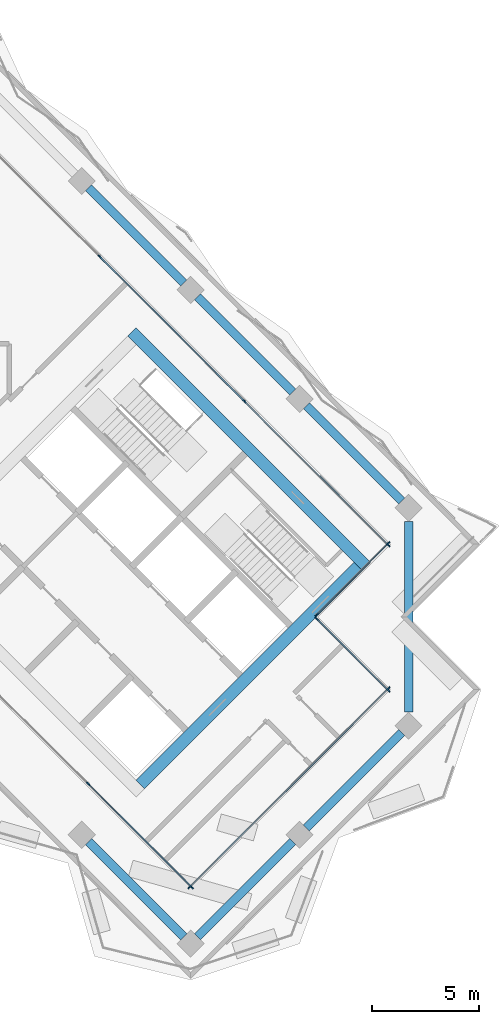
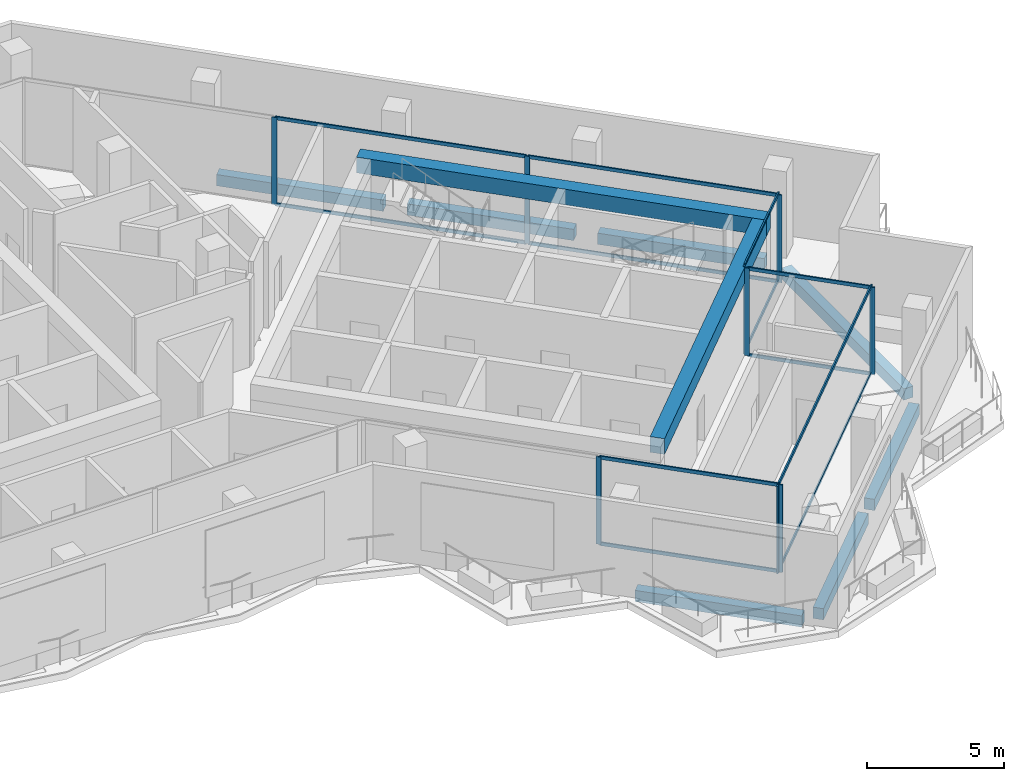
# One storey, part 7 of 19: 23 members, 9 beams, 5 elements without a shape of their own.
"""IFC4 building model written with IfcOpenShell, lengths in metres."""

from ifc_helpers import new_model, si_unit, direction, frame, origin, origin_2d, place, context, subcontext, project, spatial, rectangle, extrude, material, material_profile, profile_set, type_object, element, aggregate, save


model = new_model("IFC4")

# Units and contexts
model_context = context("Model", 3, precision=1e-05, world=origin(), true_north=direction((0.0, 1.0)))
body_context = subcontext(model_context, "Body", "Model", "MODEL_VIEW")
ifc_project = project(units=[si_unit("LENGTHUNIT", "METRE"), si_unit("AREAUNIT", "SQUARE_METRE"), si_unit("VOLUMEUNIT", "CUBIC_METRE"), si_unit("PLANEANGLEUNIT", "RADIAN"), si_unit("MASSUNIT", "GRAM", prefix="KILO")], contexts=[model_context])

# Site, building, storey
site_placement = place(None, origin())
site = spatial("IfcSite", under=ifc_project, at=site_placement, CompositionType="ELEMENT")
building_placement = place(site_placement, origin())
building = spatial("IfcBuilding", under=site, at=building_placement, Name="Windrow Commons", CompositionType="ELEMENT")
storey_placement = place(building_placement, frame((0.0, 0.0, 176.2)))
storey = spatial("IfcBuildingStorey", under=building, at=storey_placement, Name="L48", CompositionType="ELEMENT", Elevation=176.2)

# Curtain wall, members
ifc_material_1 = material(Name="Clear laminated glass in Aluminium 6063-T6 anodised frame", Category="aluminium")
curtain_wall_type = type_object("IfcCurtainWallType", Name="Curtain wall CW2H sky lounge upper", PredefinedType="USERDEFINED", material=ifc_material_1)
placement = place(storey_placement, origin())
curtain_wall_1 = element("IfcCurtainWall", 1, at=placement, inside=storey, type_object=curtain_wall_type, Name="Curtain wall CW2H L48 1", ObjectType="UNITISED", PredefinedType="USERDEFINED")
ifc_material_2 = material(Name="Aluminium 6063-T6", Category="aluminium")
ifc_material_profile_1 = material_profile(ifc_material_2, rectangle(XDim=0.06, YDim=0.2, at=origin_2d()))
ifc_profile_set_1 = profile_set([ifc_material_profile_1], Name="Aluminium 6063-T6")
member_type_1 = type_object("IfcMemberType", Name="CW2H mullion 60x200", PredefinedType="MULLION", material=ifc_profile_set_1)
member_1_placement = place(storey_placement, frame((98.6242, 43.1005, 0.0), z_axis=(0.0, 0.0, 1.0), x_axis=(-0.7071171977, -0.7070963646, 0.0)))
member_1 = element("IfcMember", 2, at=member_1_placement, type_object=member_type_1, Name="CW2H mullion 1", PredefinedType="MULLION", context=body_context, shape_type="SweptSolid", body=[
    extrude(rectangle(XDim=0.06, YDim=0.2, at=origin_2d()), origin(), (0.0, 0.0, 1.0), 3.9),
])
member_2_placement = place(storey_placement, frame((95.2725, 46.4523, 0.0), z_axis=(0.0, 0.0, 1.0), x_axis=(-0.7071171977, -0.7070963646, 0.0)))
member_2 = element("IfcMember", 3, at=member_2_placement, type_object=member_type_1, Name="CW2H mullion 2", PredefinedType="MULLION", context=body_context, shape_type="SweptSolid", body=[
    extrude(rectangle(XDim=0.06, YDim=0.2, at=origin_2d()), origin(), (0.0, 0.0, 1.0), 3.9),
])

curtain_wall_2 = element("IfcCurtainWall", 4, at=placement, inside=storey, type_object=curtain_wall_type, Name="Curtain wall CW2H L48 2", ObjectType="UNITISED", PredefinedType="USERDEFINED")
member_3_placement = place(storey_placement, frame((95.2725, 46.6361, 0.0), z_axis=(0.0, 0.0, 1.0), x_axis=(-0.7071067812, 0.7071067812, 0.0)))
member_3 = element("IfcMember", 5, at=member_3_placement, type_object=member_type_1, Name="CW2H mullion 1", PredefinedType="MULLION", context=body_context, shape_type="SweptSolid", body=[
    extrude(rectangle(XDim=0.06, YDim=0.2, at=origin_2d()), origin(), (0.0, 0.0, 1.0), 3.9),
])
member_4_placement = place(storey_placement, frame((98.6242, 49.9878, 0.0), z_axis=(0.0, 0.0, 1.0), x_axis=(-0.7071067812, 0.7071067812, 0.0)))
member_4 = element("IfcMember", 6, at=member_4_placement, type_object=member_type_1, Name="CW2H mullion 2", PredefinedType="MULLION", context=body_context, shape_type="SweptSolid", body=[
    extrude(rectangle(XDim=0.06, YDim=0.2, at=origin_2d()), origin(), (0.0, 0.0, 1.0), 3.9),
])

curtain_wall_3 = element("IfcCurtainWall", 7, at=placement, inside=storey, type_object=curtain_wall_type, Name="Curtain wall CW2H L48 3", ObjectType="UNITISED", PredefinedType="USERDEFINED")
member_5_placement = place(storey_placement, frame((98.6242, 49.8888, 0.0), z_axis=(0.0, 0.0, 1.0), x_axis=(-0.7071067812, -0.7071067812, 0.0)))
member_5 = element("IfcMember", 8, at=member_5_placement, type_object=member_type_1, Name="CW2H mullion 1", PredefinedType="MULLION", context=body_context, shape_type="SweptSolid", body=[
    extrude(rectangle(XDim=0.06, YDim=0.2, at=origin_2d()), origin(), (0.0, 0.0, 1.0), 3.9),
])
member_6_placement = place(storey_placement, frame((91.8915, 56.6215, 0.0), z_axis=(0.0, 0.0, 1.0), x_axis=(-0.7071067812, -0.7071067812, 0.0)))
member_6 = element("IfcMember", 9, at=member_6_placement, type_object=member_type_1, Name="CW2H mullion 2", PredefinedType="MULLION", context=body_context, shape_type="SweptSolid", body=[
    extrude(rectangle(XDim=0.06, YDim=0.2, at=origin_2d()), origin(), (0.0, 0.0, 1.0), 3.9),
])
member_7_placement = place(storey_placement, frame((85.1376, 63.3754, 0.0), z_axis=(0.0, 0.0, 1.0), x_axis=(-0.7071067812, -0.7071067812, 0.0)))
member_7 = element("IfcMember", 10, at=member_7_placement, type_object=member_type_1, Name="CW2H mullion 3", PredefinedType="MULLION", context=body_context, shape_type="SweptSolid", body=[
    extrude(rectangle(XDim=0.06, YDim=0.2, at=origin_2d()), origin(), (0.0, 0.0, 1.0), 3.9),
])

curtain_wall_4 = element("IfcCurtainWall", 11, at=placement, inside=storey, type_object=curtain_wall_type, Name="Curtain wall CW2H L48 13.2", ObjectType="UNITISED", PredefinedType="USERDEFINED")
member_8_placement = place(storey_placement, frame((84.5876, 38.7524, 0.0), z_axis=(0.0, 0.0, 1.0), x_axis=(0.7071099425, 0.7071036198, 0.0)))
member_8 = element("IfcMember", 12, at=member_8_placement, type_object=member_type_1, Name="CW2H mullion 2", PredefinedType="MULLION", context=body_context, shape_type="SweptSolid", body=[
    extrude(rectangle(XDim=0.06, YDim=0.2, at=origin_2d()), origin(), (0.0, 0.0, 1.0), 3.9),
])
member_9_placement = place(storey_placement, frame((89.4318, 33.9081, 0.0), z_axis=(0.0, 0.0, 1.0), x_axis=(0.7071099425, 0.7071036198, 0.0)))
member_9 = element("IfcMember", 13, at=member_9_placement, type_object=member_type_1, Name="CW2H mullion 3", PredefinedType="MULLION", context=body_context, shape_type="SweptSolid", body=[
    extrude(rectangle(XDim=0.06, YDim=0.2, at=origin_2d()), origin(), (0.0, 0.0, 1.0), 3.9),
])

curtain_wall_5 = element("IfcCurtainWall", 14, at=placement, inside=storey, type_object=curtain_wall_type, Name="Curtain wall CW2H L48 14", ObjectType="UNITISED", PredefinedType="USERDEFINED")
member_10_placement = place(storey_placement, frame((89.3328, 33.9081, 0.0), z_axis=(0.0, 0.0, 1.0), x_axis=(-0.7071067812, 0.7071067812, 0.0)))
member_10 = element("IfcMember", 15, at=member_10_placement, type_object=member_type_1, Name="CW2H mullion 1", PredefinedType="MULLION", context=body_context, shape_type="SweptSolid", body=[
    extrude(rectangle(XDim=0.06, YDim=0.2, at=origin_2d()), origin(), (0.0, 0.0, 1.0), 3.9),
])
member_11_placement = place(storey_placement, frame((98.6242, 43.1995, 0.0), z_axis=(0.0, 0.0, 1.0), x_axis=(-0.7071067812, 0.7071067812, 0.0)))
member_11 = element("IfcMember", 16, at=member_11_placement, type_object=member_type_1, Name="CW2H mullion 2", PredefinedType="MULLION", context=body_context, shape_type="SweptSolid", body=[
    extrude(rectangle(XDim=0.06, YDim=0.2, at=origin_2d()), origin(), (0.0, 0.0, 1.0), 3.9),
])

# Member
ifc_material_3 = material(Name="Aluminium 6063-T6", Category="aluminium")
ifc_material_profile_2 = material_profile(ifc_material_3, rectangle(XDim=0.06, YDim=0.15, at=origin_2d()))
ifc_profile_set_2 = profile_set([ifc_material_profile_2], Name="Aluminium 6063-T6")
member_type_2 = type_object("IfcMemberType", Name="CW2H transom 60x150", PredefinedType="USERDEFINED", material=ifc_profile_set_2)
member_12_placement = place(storey_placement, frame((98.603, 43.1217, 0.03), z_axis=(-0.7070960976, 0.7071174646, 0.0), x_axis=(-0.7071174646, -0.7070960976, 0.0)))
member_12 = element("IfcMember", 17, at=member_12_placement, type_object=member_type_2, Name="CW2H transom 1.1", ObjectType="TRANSOM", PredefinedType="USERDEFINED", context=body_context, shape_type="SweptSolid", body=[
    extrude(rectangle(XDim=0.06, YDim=0.15, at=origin_2d()), origin(), (0.0, 0.0, 1.0), 4.6801),
])

member_13_placement = place(storey_placement, frame((98.603, 43.1217, 3.87), z_axis=(-0.7070960976, 0.7071174646, 0.0), x_axis=(-0.7071174646, -0.7070960976, 0.0)))
member_13 = element("IfcMember", 18, at=member_13_placement, type_object=member_type_2, Name="CW2H transom 1.2", ObjectType="TRANSOM", PredefinedType="USERDEFINED", context=body_context, shape_type="SweptSolid", body=[
    extrude(rectangle(XDim=0.06, YDim=0.15, at=origin_2d()), origin(), (0.0, 0.0, 1.0), 4.6801),
])

aggregate(curtain_wall_1, [member_1, member_2, member_12, member_13])

member_14_placement = place(storey_placement, frame((95.2937, 46.6573, 0.03), z_axis=(0.7071067812, 0.7071067812, 0.0), x_axis=(-0.7071067812, 0.7071067812, 0.0)))
member_14 = element("IfcMember", 19, at=member_14_placement, type_object=member_type_2, Name="CW2H transom 1.1", ObjectType="TRANSOM", PredefinedType="USERDEFINED", context=body_context, shape_type="SweptSolid", body=[
    extrude(rectangle(XDim=0.06, YDim=0.15, at=origin_2d()), origin(), (0.0, 0.0, 1.0), 4.6801),
])

member_15_placement = place(storey_placement, frame((95.2937, 46.6573, 3.87), z_axis=(0.7071067812, 0.7071067812, 0.0), x_axis=(-0.7071067812, 0.7071067812, 0.0)))
member_15 = element("IfcMember", 20, at=member_15_placement, type_object=member_type_2, Name="CW2H transom 1.2", ObjectType="TRANSOM", PredefinedType="USERDEFINED", context=body_context, shape_type="SweptSolid", body=[
    extrude(rectangle(XDim=0.06, YDim=0.15, at=origin_2d()), origin(), (0.0, 0.0, 1.0), 4.6801),
])

aggregate(curtain_wall_2, [member_3, member_4, member_14, member_15])

member_16_placement = place(storey_placement, frame((98.603, 49.91, 0.03), z_axis=(-0.7071067812, 0.7071067812, 0.0), x_axis=(-0.7071067812, -0.7071067812, 0.0)))
member_16 = element("IfcMember", 21, at=member_16_placement, type_object=member_type_2, Name="CW2H transom 1.1", ObjectType="TRANSOM", PredefinedType="USERDEFINED", context=body_context, shape_type="SweptSolid", body=[
    extrude(rectangle(XDim=0.06, YDim=0.15, at=origin_2d()), origin(), (0.0, 0.0, 1.0), 9.4615),
])

member_17_placement = place(storey_placement, frame((98.603, 49.91, 3.87), z_axis=(-0.7071067812, 0.7071067812, 0.0), x_axis=(-0.7071067812, -0.7071067812, 0.0)))
member_17 = element("IfcMember", 22, at=member_17_placement, type_object=member_type_2, Name="CW2H transom 1.2", ObjectType="TRANSOM", PredefinedType="USERDEFINED", context=body_context, shape_type="SweptSolid", body=[
    extrude(rectangle(XDim=0.06, YDim=0.15, at=origin_2d()), origin(), (0.0, 0.0, 1.0), 9.4615),
])

member_18_placement = place(storey_placement, frame((91.8703, 56.6427, 0.03), z_axis=(-0.7071067812, 0.7071067812, 0.0), x_axis=(-0.7071067812, -0.7071067812, 0.0)))
member_18 = element("IfcMember", 23, at=member_18_placement, type_object=member_type_2, Name="CW2H transom 2.1", ObjectType="TRANSOM", PredefinedType="USERDEFINED", context=body_context, shape_type="SweptSolid", body=[
    extrude(rectangle(XDim=0.06, YDim=0.15, at=origin_2d()), origin(), (0.0, 0.0, 1.0), 9.4915),
])

member_19_placement = place(storey_placement, frame((91.8703, 56.6427, 3.87), z_axis=(-0.7071067812, 0.7071067812, 0.0), x_axis=(-0.7071067812, -0.7071067812, 0.0)))
member_19 = element("IfcMember", 24, at=member_19_placement, type_object=member_type_2, Name="CW2H transom 2.2", ObjectType="TRANSOM", PredefinedType="USERDEFINED", context=body_context, shape_type="SweptSolid", body=[
    extrude(rectangle(XDim=0.06, YDim=0.15, at=origin_2d()), origin(), (0.0, 0.0, 1.0), 9.4915),
])

aggregate(curtain_wall_3, [member_5, member_6, member_7, member_16, member_17, member_18, member_19])

member_20_placement = place(storey_placement, frame((84.6088, 38.7312, 0.03), z_axis=(0.7070994183, -0.707114144, 0.0), x_axis=(0.707114144, 0.7070994183, 0.0)))
member_20 = element("IfcMember", 25, at=member_20_placement, type_object=member_type_2, Name="CW2H transom 2.1", ObjectType="TRANSOM", PredefinedType="USERDEFINED", context=body_context, shape_type="SweptSolid", body=[
    extrude(rectangle(XDim=0.06, YDim=0.15, at=origin_2d()), origin(), (0.0, 0.0, 1.0), 6.7908),
])

member_21_placement = place(storey_placement, frame((84.6088, 38.7312, 3.87), z_axis=(0.7070994183, -0.707114144, 0.0), x_axis=(0.707114144, 0.7070994183, 0.0)))
member_21 = element("IfcMember", 26, at=member_21_placement, type_object=member_type_2, Name="CW2H transom 2.2", ObjectType="TRANSOM", PredefinedType="USERDEFINED", context=body_context, shape_type="SweptSolid", body=[
    extrude(rectangle(XDim=0.06, YDim=0.15, at=origin_2d()), origin(), (0.0, 0.0, 1.0), 6.7908),
])

aggregate(curtain_wall_4, [member_8, member_9, member_20, member_21])

member_22_placement = place(storey_placement, frame((89.354, 33.9293, 0.03), z_axis=(0.7071067812, 0.7071067812, 0.0), x_axis=(-0.7071067812, 0.7071067812, 0.0)))
member_22 = element("IfcMember", 27, at=member_22_placement, type_object=member_type_2, Name="CW2H transom 1.1", ObjectType="TRANSOM", PredefinedType="USERDEFINED", context=body_context, shape_type="SweptSolid", body=[
    extrude(rectangle(XDim=0.06, YDim=0.15, at=origin_2d()), origin(), (0.0, 0.0, 1.0), 13.0801),
])

member_23_placement = place(storey_placement, frame((89.354, 33.9293, 3.87), z_axis=(0.7071067812, 0.7071067812, 0.0), x_axis=(-0.7071067812, 0.7071067812, 0.0)))
member_23 = element("IfcMember", 28, at=member_23_placement, type_object=member_type_2, Name="CW2H transom 1.2", ObjectType="TRANSOM", PredefinedType="USERDEFINED", context=body_context, shape_type="SweptSolid", body=[
    extrude(rectangle(XDim=0.06, YDim=0.15, at=origin_2d()), origin(), (0.0, 0.0, 1.0), 13.0801),
])

aggregate(curtain_wall_5, [member_10, member_11, member_22, member_23])

# Beams
ifc_material_4 = material(Name="Concrete C50/60", Category="concrete")
ifc_material_profile_3 = material_profile(ifc_material_4, rectangle(XDim=0.55, YDim=0.7, at=origin_2d()))
ifc_profile_set_3 = profile_set([ifc_material_profile_3], Name="Concrete C50/60")
beam_type_1 = type_object("IfcBeamType", Name="RC COUPLING BEAM 550x700 C50/60", PredefinedType="LINTEL", material=ifc_profile_set_3)
beam_1_placement = place(storey_placement, frame((86.6423, 59.8554, 3.55), z_axis=(0.707110007, -0.7071035554, 0.0), x_axis=(0.7071035554, 0.707110007, 0.0)))
element("IfcBeam", 29, at=beam_1_placement, inside=storey, type_object=beam_type_1, Name="Core B coupling beam outer-N", PredefinedType="LINTEL", context=body_context, shape_type="SweptSolid", body=[
    extrude(rectangle(XDim=0.55, YDim=0.7, at=origin_2d()), origin(), (0.0, 0.0, 1.0), 15.5),
])
beam_2_placement = place(storey_placement, frame((87.0312, 38.7129, 3.55), z_axis=(0.707103309, 0.7071102534, 0.0), x_axis=(-0.7071102534, 0.707103309, 0.0)))
element("IfcBeam", 30, at=beam_2_placement, inside=storey, type_object=beam_type_1, Name="Core B coupling beam outer-E", PredefinedType="LINTEL", context=body_context, shape_type="SweptSolid", body=[
    extrude(rectangle(XDim=0.55, YDim=0.7, at=origin_2d()), origin(), (0.0, 0.0, 1.0), 14.4),
])
ifc_material_5 = material(Name="Concrete C50/60", Category="concrete")
ifc_material_profile_4 = material_profile(ifc_material_5, rectangle(XDim=0.4, YDim=0.5, at=origin_2d()))
ifc_profile_set_4 = profile_set([ifc_material_profile_4], Name="Concrete C50/60")
beam_type_2 = type_object("IfcBeamType", Name="RC EDGE BEAM 400x500 C50/60", PredefinedType="SPANDREL", material=ifc_profile_set_4)
beam_3_placement = place(storey_placement, frame((84.6094, 66.5906, -0.55), z_axis=(0.7071067812, -0.7071067812, 0.0), x_axis=(0.7071067812, 0.7071067812, 0.0)))
element("IfcBeam", 31, at=beam_3_placement, inside=storey, type_object=beam_type_2, Name="Edge beam L48 019", PredefinedType="SPANDREL", context=body_context, shape_type="SweptSolid", body=[
    extrude(rectangle(XDim=0.4, YDim=0.5, at=origin_2d()), origin(), (0.0, 0.0, 1.0), 6.2999),
])
for number, where, z_axis, x_axis, name in (
    (32, (89.7005, 61.4995, -0.55), (0.7071067812, -0.7071067812, 0.0), (0.7071067812, 0.7071067812, 0.0), "Edge beam L48 020"),
    (33, (94.7917, 56.4083, -0.55), (0.7071067812, -0.7071067812, 0.0), (0.7071067812, 0.7071067812, 0.0), "Edge beam L48 021"),
):
    element("IfcBeam", number, at=place(storey_placement, frame(where, z_axis=z_axis, x_axis=x_axis)), inside=storey, type_object=beam_type_2, Name=name, PredefinedType="SPANDREL", context=body_context, shape_type="SweptSolid", body=[
        extrude(rectangle(XDim=0.4, YDim=0.5, at=origin_2d()), origin(), (0.0, 0.0, 1.0), 6.3),
    ])
beam_4_placement = place(storey_placement, frame((99.5647, 50.9989, -0.55), z_axis=(0.0, -1.0, 0.0), x_axis=(1.0, 0.0, 0.0)))
element("IfcBeam", 34, at=beam_4_placement, inside=storey, type_object=beam_type_2, Name="Edge beam L48 022", PredefinedType="SPANDREL", context=body_context, shape_type="SweptSolid", body=[
    extrude(rectangle(XDim=0.4, YDim=0.5, at=origin_2d()), origin(), (0.0, 0.0, 1.0), 8.9095),
])
for number, where, z_axis, x_axis, name in (
    (35, (99.2465, 41.1348, -0.55), (-0.7071067812, -0.7071067812, 0.0), (0.7071067812, -0.7071067812, 0.0), "Edge beam L48 023"),
    (36, (94.1553, 36.0436, -0.55), (-0.7071067812, -0.7071067812, 0.0), (0.7071067812, -0.7071067812, 0.0), "Edge beam L48 024"),
    (37, (89.0641, 31.5888, -0.55), (-0.7070988446, 0.7071147177, 0.0), (-0.7071147177, -0.7070988446, 0.0), "Edge beam L48 025"),
):
    element("IfcBeam", number, at=place(storey_placement, frame(where, z_axis=z_axis, x_axis=x_axis)), inside=storey, type_object=beam_type_2, Name=name, PredefinedType="SPANDREL", context=body_context, shape_type="SweptSolid", body=[
        extrude(rectangle(XDim=0.4, YDim=0.5, at=origin_2d()), origin(), (0.0, 0.0, 1.0), 6.3),
    ])

save(model, "model.ifc")
